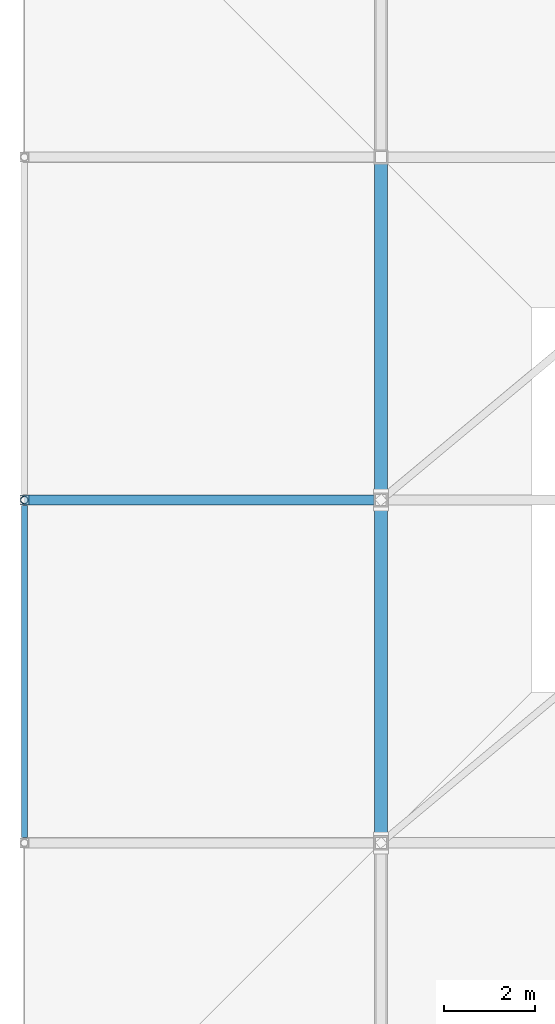
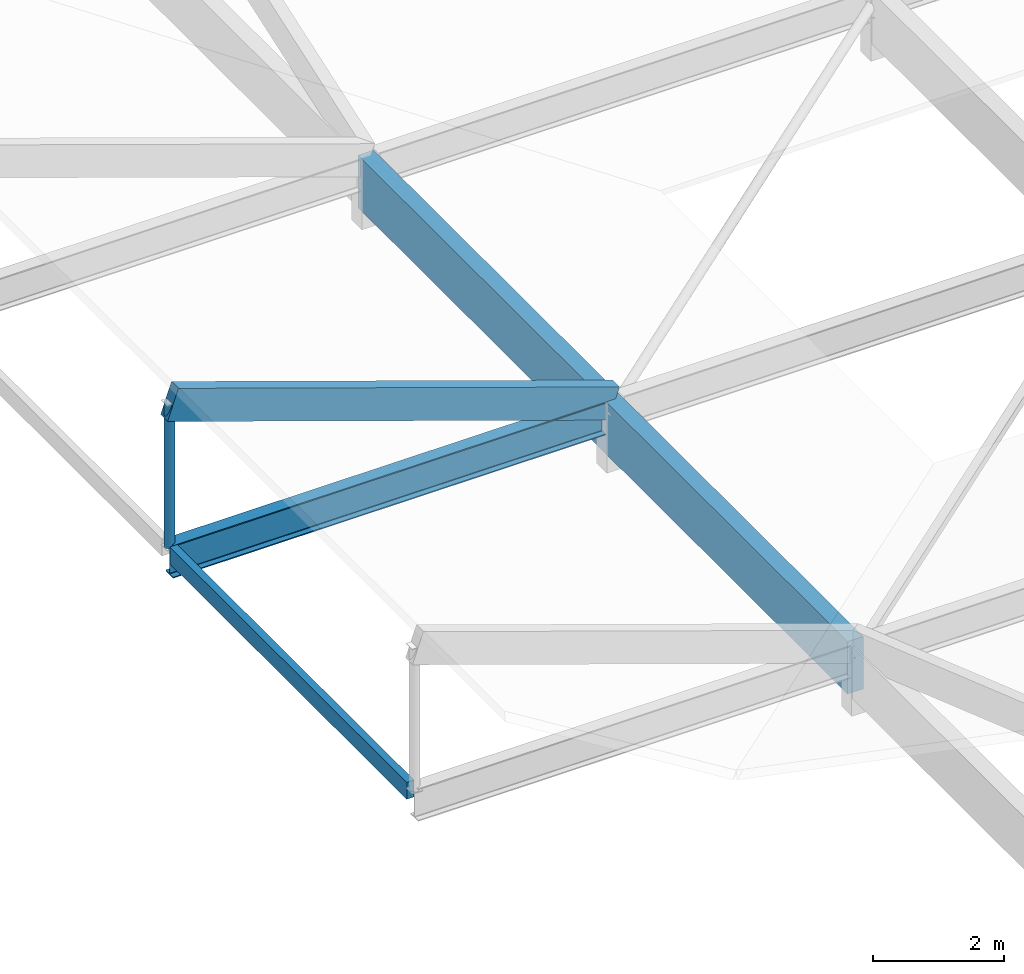
# One storey, part 3 of 19: 3 beams, 2 members.
"""IFC4 building model written with IfcOpenShell, lengths in metres."""

from ifc_helpers import new_model, si_unit, direction, frame, origin, origin_2d, place, context, subcontext, project, spatial, rectangle, hollow_circle, i_section, extrude, material, material_profile, profile_set, type_object, element, save


model = new_model("IFC4")

# Units and contexts
model_context = context("Model", 3, precision=1e-05, world=origin(), true_north=direction((0.0, 1.0)))
body_context = subcontext(model_context, "Body", "Model", "MODEL_VIEW")
ifc_project = project(units=[si_unit("LENGTHUNIT", "METRE"), si_unit("AREAUNIT", "SQUARE_METRE"), si_unit("VOLUMEUNIT", "CUBIC_METRE"), si_unit("PLANEANGLEUNIT", "RADIAN"), si_unit("MASSUNIT", "GRAM", prefix="KILO")], contexts=[model_context])

# Site, building, storey
site_placement = place(None, origin())
site = spatial("IfcSite", under=ifc_project, at=site_placement, CompositionType="ELEMENT")
building_placement = place(site_placement, origin())
building = spatial("IfcBuilding", under=site, at=building_placement, Name="Marnridge Secondary College", CompositionType="ELEMENT")
storey_placement = place(building_placement, frame((0.0, 0.0, 23.699951171875)))
storey = spatial("IfcBuildingStorey", under=building, at=storey_placement, Name="Roof Level", CompositionType="ELEMENT", Elevation=23.699951171875)

# Beams
ifc_material_1 = material(Name="Glulam timber GL18", Category="wood")
ifc_material_profile_1 = material_profile(ifc_material_1, rectangle(XDim=0.1298828125, YDim=0.31494140625, at=origin_2d()), Name="GL18 130x315")
ifc_profile_set_1 = profile_set([ifc_material_profile_1], Name="Glulam timber GL18")
beam_type_1 = type_object("IfcBeamType", Name="BM-GL315-EXT", PredefinedType="BEAM", material=ifc_profile_set_1)
beam_1_placement = place(storey_placement, frame((46.199951171875, 52.6201171875, 1.142578125), z_axis=(0.0, 1.0, 0.0), x_axis=(-1.0, 0.0, 0.0)))
element("IfcBeam", 1, at=beam_1_placement, inside=storey, type_object=beam_type_1, Name="Beam BCAN-Roo-1501", PredefinedType="BEAM", context=body_context, shape_type="SweptSolid", body=[
    extrude(rectangle(XDim=0.1298828125, YDim=0.31494140625, at=origin_2d()), origin(), (0.0, 0.0, 1.0), 7.259765625),
])
ifc_material_2 = material(Name="Glulam timber GL18", Category="wood")
ifc_material_profile_2 = material_profile(ifc_material_2, rectangle(XDim=0.280029296875, YDim=0.97998046875, at=origin_2d()), Name="GL18 280x980")
ifc_profile_set_2 = profile_set([ifc_material_profile_2], Name="Glulam timber GL18")
beam_type_2 = type_object("IfcBeamType", Name="BM-GL980-EXT", PredefinedType="BEAM", material=ifc_profile_set_2)
beam_2_placement = place(storey_placement, frame((54.0, 52.5, 0.81005859375), z_axis=(0.0, 1.0, 0.0), x_axis=(-1.0, 0.0, 0.0)))
element("IfcBeam", 2, at=beam_2_placement, inside=storey, type_object=beam_type_2, Name="Beam BCAN-Roo-1486", PredefinedType="BEAM", context=body_context, shape_type="SweptSolid", body=[
    extrude(rectangle(XDim=0.280029296875, YDim=0.97998046875, at=origin_2d()), origin(), (0.0, 0.0, 1.0), 15.0),
])
ifc_material_3 = material(Name="Structural steel Grade 350 (AS/NZS 3679.1/.2, fy = 340-360 MPa)", Category="steel")
ifc_material_profile_3 = material_profile(ifc_material_3, i_section(OverallWidth=0.22900390625, OverallDepth=0.611572265625, WebThickness=0.011962890625, FlangeThickness=0.01953125, FilletRadius=0.013916015625, at=origin_2d()), Name="610UB125")
ifc_profile_set_3 = profile_set([ifc_material_profile_3], Name="Structural steel Grade 350 (AS/NZS 3679.1/.2, fy = 340-360 MPa)")
beam_type_3 = type_object("IfcBeamType", Name="BM-UB610-EXT", PredefinedType="BEAM", material=ifc_profile_set_3)
beam_3_placement = place(storey_placement, frame((53.848388671875, 60.0, 0.994140625), z_axis=(-1.0, 0.0, 0.0), x_axis=(0.0, -1.0, 0.0)))
element("IfcBeam", 3, at=beam_3_placement, inside=storey, type_object=beam_type_3, Name="Beam BCAN-Roo-1481", PredefinedType="BEAM", context=body_context, shape_type="SweptSolid", body=[
    extrude(i_section(OverallWidth=0.22900390625, OverallDepth=0.611572265625, WebThickness=0.011962890625, FlangeThickness=0.01953125, FilletRadius=0.013916015625, at=origin_2d()), origin(), (0.0, 0.0, 1.0), 7.6484375),
])

# Members
ifc_material_4 = material(Name="Cold-formed steel Grade C350L0 (AS/NZS 1163, fy = 350 MPa)", Category="steel")
ifc_material_profile_4 = material_profile(ifc_material_4, hollow_circle(Radius=0.084228515625, WallThickness=0.00634765625, at=origin_2d()), Name="168.3x6.4CHS")
ifc_profile_set_4 = profile_set([ifc_material_profile_4], Name="Cold-formed steel Grade C350L0 (AS/NZS 1163, fy = 350 MPa)")
member_type_1 = type_object("IfcMemberType", Name="MB-BR-CHS168E", PredefinedType="BRACE", material=ifc_profile_set_4)
member_1_placement = place(storey_placement, frame((46.199951171875, 60.0, 1.219970703125), z_axis=(0.0, 0.0, 1.0), x_axis=(1.0, 0.0, 0.0)))
element("IfcMember", 4, at=member_1_placement, inside=storey, type_object=member_type_1, Name="Canopy eave web strut MCAN-013", PredefinedType="BRACE", context=body_context, shape_type="SweptSolid", body=[
    extrude(hollow_circle(Radius=0.084228515625, WallThickness=0.00634765625, at=origin_2d()), origin(), (0.0, 0.0, 1.0), 2.705078125),
])
ifc_material_5 = material(Name="Glulam timber GL18", Category="wood")
ifc_material_profile_5 = material_profile(ifc_material_5, rectangle(XDim=0.215087890625, YDim=0.5849609375, at=origin_2d()), Name="GL18 215x585")
ifc_profile_set_5 = profile_set([ifc_material_profile_5], Name="Glulam timber GL18")
member_type_2 = type_object("IfcMemberType", Name="MB-GS-GL585", PredefinedType="CHORD", material=ifc_profile_set_5)
member_2_placement = place(storey_placement, frame((54.0, 60.0, 1.219970703125), z_axis=(-0.944796411745, 0.0, 0.327657962444), x_axis=(0.0, -1.0, 0.0)))
element("IfcMember", 5, at=member_2_placement, inside=storey, type_object=member_type_2, Name="Canopy overhang truss chord MCR-013", PredefinedType="CHORD", context=body_context, shape_type="SweptSolid", body=[
    extrude(rectangle(XDim=0.215087890625, YDim=0.5849609375, at=origin_2d()), origin(), (0.0, 0.0, 1.0), 8.255859375),
])

save(model, "model.ifc")
